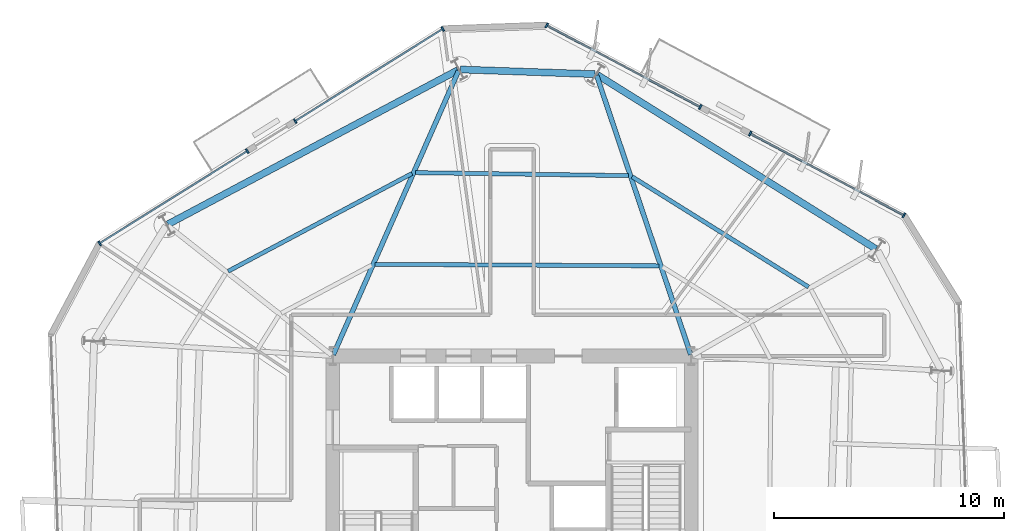
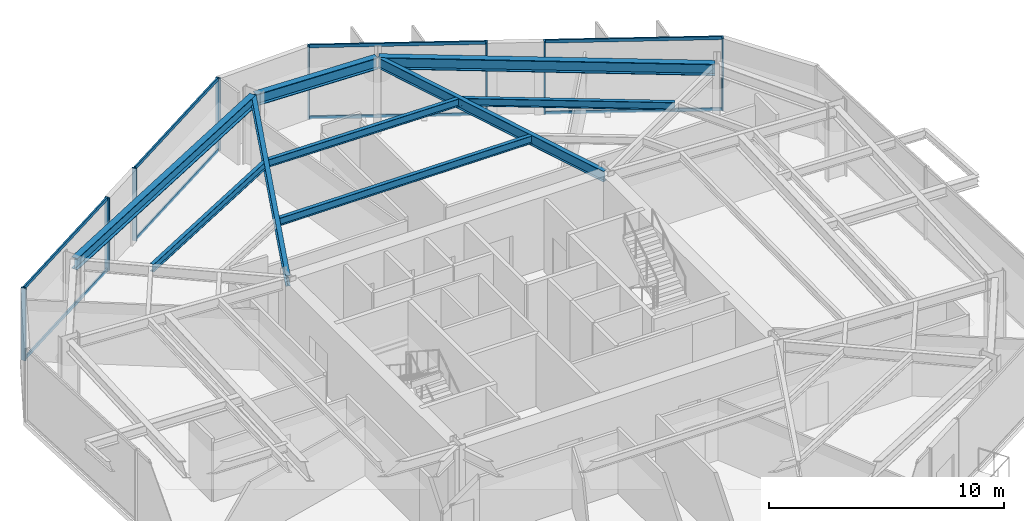
# One storey, part 5 of 12: 16 members, 9 beams, 4 elements without a shape of their own.
"""IFC4 building model written with IfcOpenShell, lengths in metres."""

from ifc_helpers import new_model, si_unit, direction, frame, origin, origin_2d, place, context, subcontext, project, spatial, rectangle, i_section, extrude, material, layer, layer_set, material_profile, profile_set, type_object, element, aggregate, save


model = new_model("IFC4")

# Units and contexts
model_context = context("Model", 3, precision=1e-05, world=origin(), true_north=direction((0.0, 1.0)))
body_context = subcontext(model_context, "Body", "Model", "MODEL_VIEW")
ifc_project = project(units=[si_unit("LENGTHUNIT", "METRE"), si_unit("AREAUNIT", "SQUARE_METRE"), si_unit("VOLUMEUNIT", "CUBIC_METRE"), si_unit("PLANEANGLEUNIT", "RADIAN"), si_unit("MASSUNIT", "GRAM", prefix="KILO")], contexts=[model_context])

# Site, building, storey
site_placement = place(None, origin())
site = spatial("IfcSite", under=ifc_project, at=site_placement, CompositionType="ELEMENT")
building_placement = place(site_placement, origin())
building = spatial("IfcBuilding", under=site, at=building_placement, Name="Kranzbogen Civic Tower", CompositionType="ELEMENT")
storey_placement = place(building_placement, frame((0.0, 0.0, 150.39990234375)))
storey = spatial("IfcBuildingStorey", under=building, at=storey_placement, Name="L36", CompositionType="ELEMENT", Elevation=150.39990234375)

# Curtain wall, members
ifc_material_1 = material(Name="Pale Anodised Aluminium", Category="aluminium")
ifc_layer = layer(ifc_material_1, 0.219970703125, Name="Pale Anodised Aluminium")
ifc_layer_set = layer_set([ifc_layer], Name="Pale Anodised Aluminium")
curtain_wall_type = type_object("IfcCurtainWallType", Name="Zone 2 Stick Curtain Wall System CW-03", PredefinedType="USERDEFINED", material=ifc_layer_set)
curtain_wall_1_placement = place(storey_placement, origin())
curtain_wall_1 = element("IfcCurtainWall", 1, at=curtain_wall_1_placement, inside=storey, type_object=curtain_wall_type, Name="L36 curtain wall CW-L36-F1-S1", ObjectType="STICK CURTAIN WALL", PredefinedType="USERDEFINED")
ifc_material_profile_1 = material_profile(ifc_material_1, rectangle(XDim=0.074951171875, YDim=0.219970703125, at=origin_2d()), Name="ALU-M 75x220")
ifc_profile_set_1 = profile_set([ifc_material_profile_1], Name="Pale Anodised Aluminium")
member_type_1 = type_object("IfcMemberType", Name="Curtain Wall Mullion ALU-M 75x220", PredefinedType="MULLION", material=ifc_profile_set_1)
member_1_placement = place(storey_placement, frame((42.056396484375, 38.323974609375, 0.0), z_axis=(0.0, 0.0, 1.0), x_axis=(-0.882932473205, 0.469499997614, 0.0)))
member_1 = element("IfcMember", 2, at=member_1_placement, type_object=member_type_1, Name="CW-03 mullion 1", PredefinedType="MULLION", context=body_context, shape_type="SweptSolid", body=[
    extrude(rectangle(XDim=0.074951171875, YDim=0.219970703125, at=origin_2d()), origin(), (0.0, 0.0, 1.0), 3.760009765625),
])
member_2_placement = place(storey_placement, frame((35.369384765625, 41.8798828125, 0.0), z_axis=(0.0, 0.0, 1.0), x_axis=(-0.882932473205, 0.469499997614, 0.0)))
member_2 = element("IfcMember", 3, at=member_2_placement, type_object=member_type_1, Name="CW-03 mullion 2", PredefinedType="MULLION", context=body_context, shape_type="SweptSolid", body=[
    extrude(rectangle(XDim=0.074951171875, YDim=0.219970703125, at=origin_2d()), origin(), (0.0, 0.0, 1.0), 3.760009765625),
])

curtain_wall_2_placement = place(storey_placement, origin())
curtain_wall_2 = element("IfcCurtainWall", 4, at=curtain_wall_2_placement, inside=storey, type_object=curtain_wall_type, Name="L36 curtain wall CW-L36-F1-S2", ObjectType="STICK CURTAIN WALL", PredefinedType="USERDEFINED")
member_3_placement = place(storey_placement, frame((33.196533203125, 43.03515625, 0.0), z_axis=(0.0, 0.0, 1.0), x_axis=(-0.882961344307, 0.46944569916, 0.0)))
member_3 = element("IfcMember", 5, at=member_3_placement, type_object=member_type_1, Name="CW-03 mullion 1", PredefinedType="MULLION", context=body_context, shape_type="SweptSolid", body=[
    extrude(rectangle(XDim=0.074951171875, YDim=0.219970703125, at=origin_2d()), origin(), (0.0, 0.0, 1.0), 3.760009765625),
])
member_4_placement = place(storey_placement, frame((26.508544921875, 46.5908203125, 0.0), z_axis=(0.0, 0.0, 1.0), x_axis=(-0.882961344307, 0.46944569916, 0.0)))
member_4 = element("IfcMember", 6, at=member_4_placement, type_object=member_type_1, Name="CW-03 mullion 2", PredefinedType="MULLION", context=body_context, shape_type="SweptSolid", body=[
    extrude(rectangle(XDim=0.074951171875, YDim=0.219970703125, at=origin_2d()), origin(), (0.0, 0.0, 1.0), 3.760009765625),
])

curtain_wall_3_placement = place(storey_placement, origin())
curtain_wall_3 = element("IfcCurtainWall", 7, at=curtain_wall_3_placement, inside=storey, type_object=curtain_wall_type, Name="L36 curtain wall CW-L36-F2-S1", ObjectType="STICK CURTAIN WALL", PredefinedType="USERDEFINED")
member_5_placement = place(storey_placement, frame((21.988525390625, 46.43310546875, 0.0), z_axis=(0.0, 0.0, 1.0), x_axis=(-0.84810866373, -0.529822323525, 0.0)))
member_5 = element("IfcMember", 8, at=member_5_placement, type_object=member_type_1, Name="CW-03 mullion 1", PredefinedType="MULLION", context=body_context, shape_type="SweptSolid", body=[
    extrude(rectangle(XDim=0.074951171875, YDim=0.219970703125, at=origin_2d()), origin(), (0.0, 0.0, 1.0), 3.760009765625),
])
member_6_placement = place(storey_placement, frame((15.564453125, 42.419921875, 0.0), z_axis=(0.0, 0.0, 1.0), x_axis=(-0.84810866373, -0.529822323525, 0.0)))
member_6 = element("IfcMember", 9, at=member_6_placement, type_object=member_type_1, Name="CW-03 mullion 2", PredefinedType="MULLION", context=body_context, shape_type="SweptSolid", body=[
    extrude(rectangle(XDim=0.074951171875, YDim=0.219970703125, at=origin_2d()), origin(), (0.0, 0.0, 1.0), 3.760009765625),
])

curtain_wall_4_placement = place(storey_placement, origin())
curtain_wall_4 = element("IfcCurtainWall", 10, at=curtain_wall_4_placement, inside=storey, type_object=curtain_wall_type, Name="L36 curtain wall CW-L36-F2-S2", ObjectType="STICK CURTAIN WALL", PredefinedType="USERDEFINED")
member_7_placement = place(storey_placement, frame((13.478515625, 41.1162109375, 0.0), z_axis=(0.0, 0.0, 1.0), x_axis=(-0.848071889421, -0.529881185148, 0.0)))
member_7 = element("IfcMember", 11, at=member_7_placement, type_object=member_type_1, Name="CW-03 mullion 1", PredefinedType="MULLION", context=body_context, shape_type="SweptSolid", body=[
    extrude(rectangle(XDim=0.074951171875, YDim=0.219970703125, at=origin_2d()), origin(), (0.0, 0.0, 1.0), 3.760009765625),
])
member_8_placement = place(storey_placement, frame((7.055419921875, 37.102783203125, 0.0), z_axis=(0.0, 0.0, 1.0), x_axis=(-0.848071889421, -0.529881185148, 0.0)))
member_8 = element("IfcMember", 12, at=member_8_placement, type_object=member_type_1, Name="CW-03 mullion 2", PredefinedType="MULLION", context=body_context, shape_type="SweptSolid", body=[
    extrude(rectangle(XDim=0.074951171875, YDim=0.219970703125, at=origin_2d()), origin(), (0.0, 0.0, 1.0), 3.760009765625),
])

# Member
ifc_material_profile_2 = material_profile(ifc_material_1, rectangle(XDim=0.074951171875, YDim=0.1650390625, at=origin_2d()), Name="ALU-T 75x165")
ifc_profile_set_2 = profile_set([ifc_material_profile_2], Name="Pale Anodised Aluminium")
member_type_2 = type_object("IfcMemberType", Name="Curtain Wall Transom ALU-T 75x165", PredefinedType="USERDEFINED", material=ifc_profile_set_2)
member_9_placement = place(storey_placement, frame((42.030029296875, 38.338134765625, 0.030029296875), z_axis=(-0.882936014443, 0.469493337971, 0.0), x_axis=(-0.469493337971, -0.882936014443, 0.0)))
member_9 = element("IfcMember", 13, at=member_9_placement, type_object=member_type_2, Name="CW-03 transom 1.1", ObjectType="TRANSOM", PredefinedType="USERDEFINED", context=body_context, shape_type="SweptSolid", body=[
    extrude(rectangle(XDim=0.074951171875, YDim=0.1650390625, at=origin_2d()), origin(), (0.0, 0.0, 1.0), 7.513671875),
])

member_10_placement = place(storey_placement, frame((42.030029296875, 38.338134765625, 3.72998046875), z_axis=(-0.882936014443, 0.469493337971, 0.0), x_axis=(-0.469493337971, -0.882936014443, 0.0)))
member_10 = element("IfcMember", 14, at=member_10_placement, type_object=member_type_2, Name="CW-03 transom 1.2", ObjectType="TRANSOM", PredefinedType="USERDEFINED", context=body_context, shape_type="SweptSolid", body=[
    extrude(rectangle(XDim=0.074951171875, YDim=0.1650390625, at=origin_2d()), origin(), (0.0, 0.0, 1.0), 7.513671875),
])

aggregate(curtain_wall_1, [member_1, member_2, member_9, member_10])

member_11_placement = place(storey_placement, frame((33.169921875, 43.049072265625, 0.030029296875), z_axis=(-0.882951191613, 0.469464794451, 0.0), x_axis=(-0.469464794451, -0.882951191613, 0.0)))
member_11 = element("IfcMember", 15, at=member_11_placement, type_object=member_type_2, Name="CW-03 transom 1.1", ObjectType="TRANSOM", PredefinedType="USERDEFINED", context=body_context, shape_type="SweptSolid", body=[
    extrude(rectangle(XDim=0.074951171875, YDim=0.1650390625, at=origin_2d()), origin(), (0.0, 0.0, 1.0), 7.5146484375),
])

member_12_placement = place(storey_placement, frame((33.169921875, 43.049072265625, 3.72998046875), z_axis=(-0.882951191613, 0.469464794451, 0.0), x_axis=(-0.469464794451, -0.882951191613, 0.0)))
member_12 = element("IfcMember", 16, at=member_12_placement, type_object=member_type_2, Name="CW-03 transom 1.2", ObjectType="TRANSOM", PredefinedType="USERDEFINED", context=body_context, shape_type="SweptSolid", body=[
    extrude(rectangle(XDim=0.074951171875, YDim=0.1650390625, at=origin_2d()), origin(), (0.0, 0.0, 1.0), 7.5146484375),
])

aggregate(curtain_wall_2, [member_3, member_4, member_11, member_12])

member_13_placement = place(storey_placement, frame((21.963134765625, 46.417236328125, 0.030029296875), z_axis=(-0.848109621938, -0.529820789679, 0.0), x_axis=(0.529820789679, -0.848109621938, 0.0)))
member_13 = element("IfcMember", 17, at=member_13_placement, type_object=member_type_2, Name="CW-03 transom 1.1", ObjectType="TRANSOM", PredefinedType="USERDEFINED", context=body_context, shape_type="SweptSolid", body=[
    extrude(rectangle(XDim=0.074951171875, YDim=0.1650390625, at=origin_2d()), origin(), (0.0, 0.0, 1.0), 7.5146484375),
])

member_14_placement = place(storey_placement, frame((21.963134765625, 46.417236328125, 3.72998046875), z_axis=(-0.848109621938, -0.529820789679, 0.0), x_axis=(0.529820789679, -0.848109621938, 0.0)))
member_14 = element("IfcMember", 18, at=member_14_placement, type_object=member_type_2, Name="CW-03 transom 1.2", ObjectType="TRANSOM", PredefinedType="USERDEFINED", context=body_context, shape_type="SweptSolid", body=[
    extrude(rectangle(XDim=0.074951171875, YDim=0.1650390625, at=origin_2d()), origin(), (0.0, 0.0, 1.0), 7.5146484375),
])

aggregate(curtain_wall_3, [member_5, member_6, member_13, member_14])

member_15_placement = place(storey_placement, frame((13.453125, 41.10009765625, 0.030029296875), z_axis=(-0.84808773768, -0.529855819254, 0.0), x_axis=(0.529855819254, -0.84808773768, 0.0)))
member_15 = element("IfcMember", 19, at=member_15_placement, type_object=member_type_2, Name="CW-03 transom 1.1", ObjectType="TRANSOM", PredefinedType="USERDEFINED", context=body_context, shape_type="SweptSolid", body=[
    extrude(rectangle(XDim=0.074951171875, YDim=0.1650390625, at=origin_2d()), origin(), (0.0, 0.0, 1.0), 7.513671875),
])

member_16_placement = place(storey_placement, frame((13.453125, 41.10009765625, 3.72998046875), z_axis=(-0.84808773768, -0.529855819254, 0.0), x_axis=(0.529855819254, -0.84808773768, 0.0)))
member_16 = element("IfcMember", 20, at=member_16_placement, type_object=member_type_2, Name="CW-03 transom 1.2", ObjectType="TRANSOM", PredefinedType="USERDEFINED", context=body_context, shape_type="SweptSolid", body=[
    extrude(rectangle(XDim=0.074951171875, YDim=0.1650390625, at=origin_2d()), origin(), (0.0, 0.0, 1.0), 7.513671875),
])

aggregate(curtain_wall_4, [member_7, member_8, member_15, member_16])

# Beams
ifc_material_2 = material(Name="Steel S355", Category="steel")
ifc_material_profile_3 = material_profile(ifc_material_2, i_section(OverallWidth=0.300048828125, OverallDepth=0.60009765625, WebThickness=0.015380859375, FlangeThickness=0.030029296875, at=origin_2d()), Name="HEB 600")
ifc_profile_set_3 = profile_set([ifc_material_profile_3], Name="Steel S355")
beam_type_1 = type_object("IfcBeamType", Name="Perimeter Tube Spandrel Beam HEB 600", PredefinedType="SPANDREL", material=ifc_profile_set_3)
beam_1_placement = place(storey_placement, frame((40.8349609375, 36.861083984375, 3.460205078125), z_axis=(-0.848051101349, 0.52991445489, 0.0), x_axis=(-0.52991445489, -0.848051101349, 0.0)))
element("IfcBeam", 21, at=beam_1_placement, inside=storey, type_object=beam_type_1, Name="L36 perimeter spandrel beam 08", PredefinedType="SPANDREL", context=body_context, shape_type="SweptSolid", body=[
    extrude(i_section(OverallWidth=0.300048828125, OverallDepth=0.60009765625, WebThickness=0.015380859375, FlangeThickness=0.030029296875, at=origin_2d()), origin(), (0.0, 0.0, 1.0), 14.286865234375),
])
beam_2_placement = place(storey_placement, frame((28.60791015625, 44.466064453125, 3.460205078125), z_axis=(-0.999393148233, 0.03483296234, 0.0), x_axis=(-0.03483296234, -0.999393148233, 0.0)))
element("IfcBeam", 22, at=beam_2_placement, inside=storey, type_object=beam_type_1, Name="L36 perimeter spandrel beam 09", PredefinedType="SPANDREL", context=body_context, shape_type="SweptSolid", body=[
    extrude(i_section(OverallWidth=0.300048828125, OverallDepth=0.60009765625, WebThickness=0.015380859375, FlangeThickness=0.030029296875, at=origin_2d()), origin(), (0.0, 0.0, 1.0), 5.8525390625),
])
beam_3_placement = place(storey_placement, frame((22.64599609375, 44.64404296875, 3.460205078125), z_axis=(-0.882948194046, -0.469470432116, 0.0), x_axis=(0.469470432116, -0.882948194046, 0.0)))
element("IfcBeam", 23, at=beam_3_placement, inside=storey, type_object=beam_type_1, Name="L36 perimeter spandrel beam 10", PredefinedType="SPANDREL", context=body_context, shape_type="SweptSolid", body=[
    extrude(i_section(OverallWidth=0.300048828125, OverallDepth=0.60009765625, WebThickness=0.015380859375, FlangeThickness=0.030029296875, at=origin_2d()), origin(), (0.0, 0.0, 1.0), 14.28857421875),
])
ifc_material_profile_4 = material_profile(ifc_material_2, i_section(OverallWidth=0.2099609375, OverallDepth=0.550048828125, WebThickness=0.010986328125, FlangeThickness=0.01708984375, at=origin_2d()), Name="IPE 550")
ifc_profile_set_4 = profile_set([ifc_material_profile_4], Name="Steel S355")
beam_type_2 = type_object("IfcBeamType", Name="Radial Tower Floor Girder IPE 550", PredefinedType="BEAM", material=ifc_profile_set_4)
beam_4_placement = place(storey_placement, frame((28.68701171875, 44.406982421875, 3.485107421875), z_axis=(0.319316617377, -0.947648087566, 0.0), x_axis=(0.947648087566, 0.319316617377, 0.0)))
element("IfcBeam", 24, at=beam_4_placement, inside=storey, type_object=beam_type_2, Name="L36 radial floor girder 09", PredefinedType="BEAM", context=body_context, shape_type="SweptSolid", body=[
    extrude(i_section(OverallWidth=0.2099609375, OverallDepth=0.550048828125, WebThickness=0.010986328125, FlangeThickness=0.01708984375, at=origin_2d()), origin(), (0.0, 0.0, 1.0), 12.821044921875),
])
beam_5_placement = place(storey_placement, frame((22.675048828125, 44.616943359375, 3.485107421875), z_axis=(-0.403459127705, -0.914997667905, 0.0), x_axis=(0.914997667905, -0.403459127705, 0.0)))
element("IfcBeam", 25, at=beam_5_placement, inside=storey, type_object=beam_type_2, Name="L36 radial floor girder 10", PredefinedType="BEAM", context=body_context, shape_type="SweptSolid", body=[
    extrude(i_section(OverallWidth=0.2099609375, OverallDepth=0.550048828125, WebThickness=0.010986328125, FlangeThickness=0.01708984375, at=origin_2d()), origin(), (0.0, 0.0, 1.0), 13.510498046875),
])
ifc_material_profile_5 = material_profile(ifc_material_2, i_section(OverallWidth=0.179931640625, OverallDepth=0.39990234375, WebThickness=0.008544921875, FlangeThickness=0.013427734375, at=origin_2d()), Name="IPE 400")
ifc_profile_set_5 = profile_set([ifc_material_profile_5], Name="Steel S355")
beam_type_3 = type_object("IfcBeamType", Name="Secondary Composite Floor Joist IPE 400", PredefinedType="JOIST", material=ifc_profile_set_5)
beam_6_placement = place(storey_placement, frame((37.906982421875, 35.205078125, 3.56005859375), z_axis=(-0.848025549308, 0.529955345026, 0.0), x_axis=(-0.529955345026, -0.848025549308, 0.0)))
element("IfcBeam", 26, at=beam_6_placement, inside=storey, type_object=beam_type_3, Name="L36 secondary floor joist 1.08", PredefinedType="JOIST", context=body_context, shape_type="SweptSolid", body=[
    extrude(i_section(OverallWidth=0.179931640625, OverallDepth=0.39990234375, WebThickness=0.008544921875, FlangeThickness=0.013427734375, at=origin_2d()), origin(), (0.0, 0.0, 1.0), 9.06103515625),
])
beam_7_placement = place(storey_placement, frame((30.075927734375, 40.050048828125, 3.56005859375), z_axis=(-0.999900525148, 0.014104602386, 0.0), x_axis=(-0.014104602386, -0.999900525148, 0.0)))
element("IfcBeam", 27, at=beam_7_placement, inside=storey, type_object=beam_type_3, Name="L36 secondary floor joist 1.09", PredefinedType="JOIST", context=body_context, shape_type="SweptSolid", body=[
    extrude(i_section(OverallWidth=0.179931640625, OverallDepth=0.39990234375, WebThickness=0.008544921875, FlangeThickness=0.013427734375, at=origin_2d()), origin(), (0.0, 0.0, 1.0), 9.27783203125),
])
beam_8_placement = place(storey_placement, frame((31.39794921875, 36.125, 3.56005859375), z_axis=(-0.999985774147, 0.005333995002, 0.0), x_axis=(-0.005333995002, -0.999985774147, 0.0)))
element("IfcBeam", 28, at=beam_8_placement, inside=storey, type_object=beam_type_3, Name="L36 secondary floor joist 2.09", PredefinedType="JOIST", context=body_context, shape_type="SweptSolid", body=[
    extrude(i_section(OverallWidth=0.179931640625, OverallDepth=0.39990234375, WebThickness=0.008544921875, FlangeThickness=0.013427734375, at=origin_2d()), origin(), (0.0, 0.0, 1.0), 12.358154296875),
])
beam_9_placement = place(storey_placement, frame((20.64892578125, 40.14501953125, 3.56005859375), z_axis=(-0.882960787661, -0.469446746131, 0.0), x_axis=(0.469446746131, -0.882960787661, 0.0)))
element("IfcBeam", 29, at=beam_9_placement, inside=storey, type_object=beam_type_3, Name="L36 secondary floor joist 1.10", PredefinedType="JOIST", context=body_context, shape_type="SweptSolid", body=[
    extrude(i_section(OverallWidth=0.179931640625, OverallDepth=0.39990234375, WebThickness=0.008544921875, FlangeThickness=0.013427734375, at=origin_2d()), origin(), (0.0, 0.0, 1.0), 9.0615234375),
])

save(model, "model.ifc")
